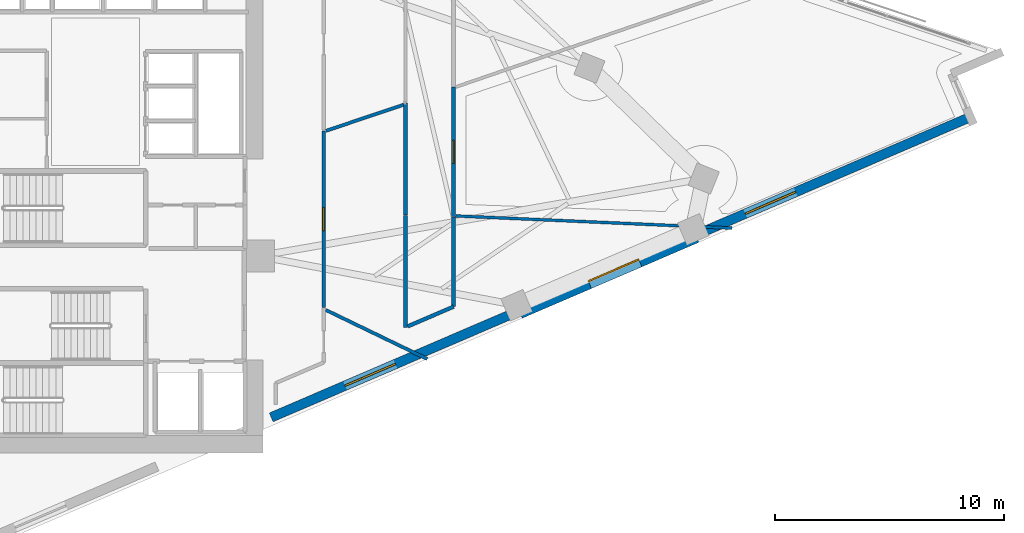
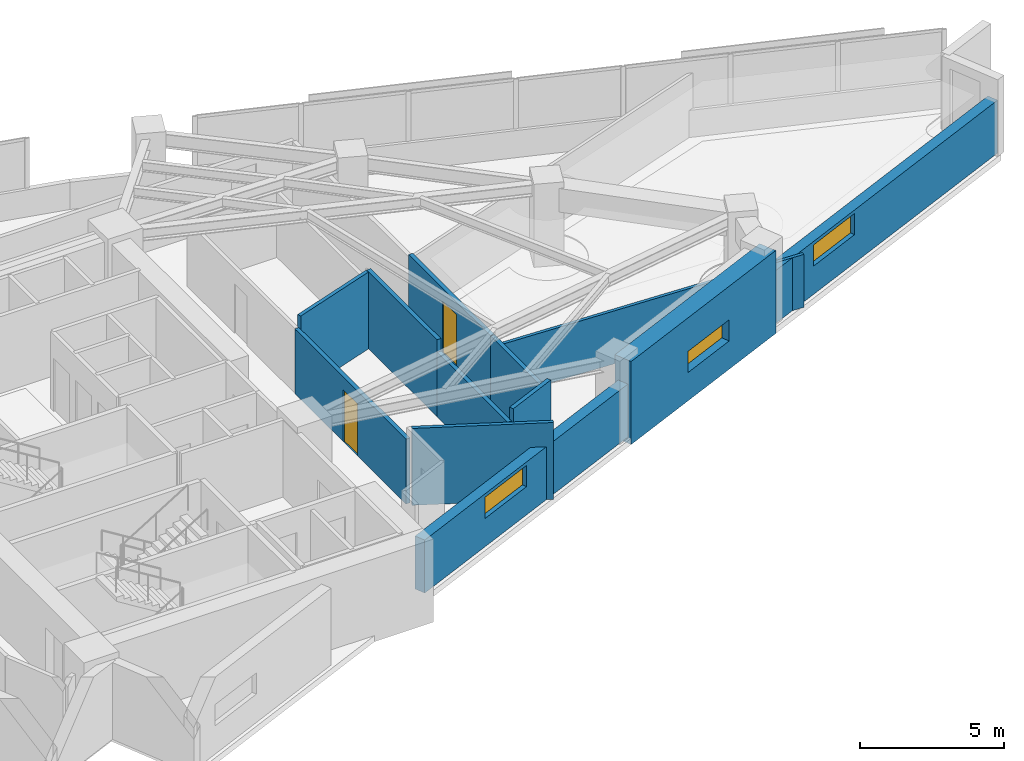
# One storey, part 11 of 15: 12 walls, 3 windows, 2 doors, 5 openings.
"""IFC4 building model written with IfcOpenShell, lengths in metres."""

from ifc_helpers import new_model, si_unit, direction, frame, frame_2d, origin, place, context, subcontext, project, spatial, rectangle, extrude, material, layer, layer_set, type_object, element, fill, save


model = new_model("IFC4")

# Units and contexts
model_context = context("Model", 3, precision=1e-05, world=origin(), true_north=direction((0.0, 1.0)))
body_context = subcontext(model_context, "Body", "Model", "MODEL_VIEW")
ifc_project = project(units=[si_unit("LENGTHUNIT", "METRE"), si_unit("AREAUNIT", "SQUARE_METRE"), si_unit("VOLUMEUNIT", "CUBIC_METRE"), si_unit("PLANEANGLEUNIT", "RADIAN"), si_unit("MASSUNIT", "GRAM", prefix="KILO")], contexts=[model_context])

# Site, building, storey
site_placement = place(None, origin())
site = spatial("IfcSite", under=ifc_project, at=site_placement, CompositionType="ELEMENT")
building_placement = place(site_placement, origin())
building = spatial("IfcBuilding", under=site, at=building_placement, Name="Narakoshi Arena Tower", CompositionType="ELEMENT")
storey_placement = place(building_placement, frame((0.0, 0.0, 186.139892578125)))
storey = spatial("IfcBuildingStorey", under=building, at=storey_placement, Name="L50", CompositionType="ELEMENT", Elevation=186.139892578125)

# Wall, opening, door
ifc_material_1 = material(Name="Gypsum plasterboard fire-rated partition")
ifc_layer_1 = layer(ifc_material_1, 0.1650390625)
ifc_layer_set_1 = layer_set([ifc_layer_1], Name="Gypsum plasterboard fire-rated partition")
wall_type_1 = type_object("IfcWallType", Name="WL-CORR-165", PredefinedType="PARTITIONING", material=ifc_layer_set_1)
wall_1_placement = place(storey_placement, frame((94.07373046875, 45.072021484375, 0.0), z_axis=(0.0, 0.0, 1.0), x_axis=(0.0, 1.0, 0.0)))
wall_1 = element("IfcWall", 1, at=wall_1_placement, inside=storey, type_object=wall_type_1, Name="L50 Corridor Partition 03-1", PredefinedType="PARTITIONING", context=body_context, shape_type="SweptSolid", body=[
    extrude(rectangle(XDim=5.67041015625, YDim=0.1650390625, at=frame_2d((2.835205078125, 0.0))), origin(), (0.0, 0.0, 1.0), 2.7451171875),
])
opening_1_placement = place(wall_1_placement, frame((2.335205078125, 0.0, 0.0)))
opening_1 = element("IfcOpeningElement", 2, at=opening_1_placement, cuts=wall_1, Name="Opening D-06", PredefinedType="OPENING", context=body_context, shape_type="SweptSolid", body=[
    extrude(rectangle(XDim=1.0, YDim=2.199951171875, at=frame_2d((0.5, 1.10009765625))), frame((0.0, 0.092529296875, 0.0), z_axis=(0.0, -1.0, 0.0), x_axis=(1.0, 0.0, 0.0)), (0.0, 0.0, 1.0), 0.18505859375),
])
ifc_material_2 = material(Name="Stained oak solid-core timber", Category="wood")
door_type = type_object("IfcDoorType", Name="DR-OFF-1000", OperationType="NOTDEFINED", PredefinedType="DOOR", material=ifc_material_2)
door_1_placement = place(opening_1_placement, frame((1.0, 0.0, 0.0), z_axis=(0.0, 0.0, 1.0), x_axis=(-1.0, 0.0, 0.0)))
door_1 = element("IfcDoor", 3, at=door_1_placement, inside=storey, type_object=door_type, Name="DR-L50-017", OperationType="SINGLE_SWING_RIGHT", OverallHeight=2.199951171875, OverallWidth=1.0, PredefinedType="DOOR", context=body_context, shape_type="SweptSolid", body=[
    extrude(rectangle(XDim=1.0, YDim=2.199951171875, at=frame_2d((0.5, 1.10009765625))), frame((0.0, 0.02490234375, 0.0), z_axis=(0.0, -1.0, 0.0), x_axis=(1.0, 0.0, 0.0)), (0.0, 0.0, 1.0), 0.050048828125),
])
fill(opening_1, door_1)

wall_2_placement = place(storey_placement, frame((88.39990234375, 41.10009765625, 0.0), z_axis=(0.0, 0.0, 1.0), x_axis=(0.0, 1.0, 0.0)))
wall_2 = element("IfcWall", 4, at=wall_2_placement, inside=storey, type_object=wall_type_1, Name="L50 Corridor Partition 04-1", PredefinedType="PARTITIONING", context=body_context, shape_type="SweptSolid", body=[
    extrude(rectangle(XDim=7.727294921875, YDim=0.1650390625, at=frame_2d((3.86376953125, 0.0))), origin(), (0.0, 0.0, 1.0), 2.7451171875),
])
opening_2_placement = place(wall_2_placement, frame((3.363525390625, 0.0, 0.0)))
opening_2 = element("IfcOpeningElement", 5, at=opening_2_placement, cuts=wall_2, Name="Opening D-06", PredefinedType="OPENING", context=body_context, shape_type="SweptSolid", body=[
    extrude(rectangle(XDim=1.0, YDim=2.199951171875, at=frame_2d((0.5, 1.10009765625))), frame((0.0, 0.092529296875, 0.0), z_axis=(0.0, -1.0, 0.0), x_axis=(1.0, 0.0, 0.0)), (0.0, 0.0, 1.0), 0.18505859375),
])
door_2_placement = place(opening_2_placement, frame((1.0, 0.0, 0.0), z_axis=(0.0, 0.0, 1.0), x_axis=(-1.0, 0.0, 0.0)))
door_2 = element("IfcDoor", 6, at=door_2_placement, inside=storey, type_object=door_type, Name="DR-L50-018", OperationType="SINGLE_SWING_LEFT", OverallHeight=2.199951171875, OverallWidth=1.0, PredefinedType="DOOR", context=body_context, shape_type="SweptSolid", body=[
    extrude(rectangle(XDim=1.0, YDim=2.199951171875, at=frame_2d((0.5, 1.10009765625))), frame((0.0, 0.02490234375, 0.0), z_axis=(0.0, -1.0, 0.0), x_axis=(1.0, 0.0, 0.0)), (0.0, 0.0, 1.0), 0.050048828125),
])
fill(opening_2, door_2)

# Walls
wall_3_placement = place(storey_placement, frame((91.9736328125, 45.1220703125, 0.0), z_axis=(0.0, 0.0, 1.0), x_axis=(0.0, -1.0, 0.0)))
element("IfcWall", 7, at=wall_3_placement, inside=storey, type_object=wall_type_1, Name="L50 Corridor Partition 04-2", PredefinedType="PARTITIONING", context=body_context, shape_type="SweptSolid", body=[
    extrude(rectangle(XDim=4.887451171875, YDim=0.1650390625, at=frame_2d((2.44384765625, 0.0))), origin(), (0.0, 0.0, 1.0), 2.7451171875),
])
wall_4_placement = place(storey_placement, frame((91.9736328125, 50.03369140625, 0.0), z_axis=(0.0, 0.0, 1.0), x_axis=(0.0, -1.0, 0.0)))
element("IfcWall", 8, at=wall_4_placement, inside=storey, type_object=wall_type_1, Name="L50 Corridor Partition 04-3", PredefinedType="PARTITIONING", context=body_context, shape_type="SweptSolid", body=[
    extrude(rectangle(XDim=4.887451171875, YDim=0.1650390625, at=frame_2d((2.44384765625, 0.0))), origin(), (0.0, 0.0, 1.0), 3.260009765625),
])
wall_5_placement = place(storey_placement, frame((94.07373046875, 41.136962890625, 0.0), z_axis=(0.0, 0.0, 1.0), x_axis=(0.0, 1.0, 0.0)))
element("IfcWall", 9, at=wall_5_placement, inside=storey, type_object=wall_type_1, Name="L50 Corridor Partition 04-4", PredefinedType="PARTITIONING", context=body_context, shape_type="SweptSolid", body=[
    extrude(rectangle(XDim=3.910888671875, YDim=0.1650390625, at=frame_2d((1.95556640625, 0.0))), origin(), (0.0, 0.0, 1.0), 2.7451171875),
])
wall_6_placement = place(storey_placement, frame((92.068115234375, 40.275390625, 0.0), z_axis=(0.0, 0.0, 1.0), x_axis=(0.91880916067, 0.394702072794, 0.0)))
element("IfcWall", 10, at=wall_6_placement, inside=storey, type_object=wall_type_1, Name="L50 Corridor Partition 04-5", PredefinedType="PARTITIONING", context=body_context, shape_type="SweptSolid", body=[
    extrude(rectangle(XDim=2.182861328125, YDim=0.1650390625, at=frame_2d((1.09130859375, 0.0))), origin(), (0.0, 0.0, 1.0), 3.260009765625),
])

# Wall, opening, window
ifc_material_3 = material(Name="Concrete C60/75", Category="concrete")
ifc_layer_2 = layer(ifc_material_3, 0.699951171875)
ifc_layer_set_2 = layer_set([ifc_layer_2], Name="Concrete C60/75")
wall_type_2 = type_object("IfcWallType", Name="WL-LEG-700", PredefinedType="SHEAR", material=ifc_layer_set_2)
wall_7_placement = place(storey_placement, frame((96.936767578125, 40.951904296875, -0.260009765625), z_axis=(0.0, 0.0, 1.0), x_axis=(0.918782407933, 0.394764343468, 0.0)))
wall_7 = element("IfcWall", 11, at=wall_7_placement, inside=storey, type_object=wall_type_2, Name="L50 Architectural Concrete Structural Wall LEGA-3", PredefinedType="SHEAR", context=body_context, shape_type="SweptSolid", body=[
    extrude(rectangle(XDim=8.401611328125, YDim=0.699951171875, at=frame_2d((4.20068359375, 0.0))), origin(), (0.0, 0.0, 1.0), 3.52001953125),
])
opening_3_placement = place(wall_7_placement, frame((3.2939453125, 0.0, 1.199951171875)))
opening_3 = element("IfcOpeningElement", 12, at=opening_3_placement, cuts=wall_7, Name="Opening WN-01", PredefinedType="OPENING", context=body_context, shape_type="SweptSolid", body=[
    extrude(rectangle(XDim=2.39990234375, YDim=0.89990234375, at=frame_2d((1.199951171875, 0.449951171875))), frame((0.0, 0.35986328125, 0.0), z_axis=(0.0, -1.0, 0.0), x_axis=(1.0, 0.0, 0.0)), (0.0, 0.0, 1.0), 0.719970703125),
])
ifc_material_4 = material(Name="Bronze-tinted low-E laminated glass", Category="glass")
window_type = type_object("IfcWindowType", Name="WIN-SLT-24x09", PartitioningType="SINGLE_PANEL", PredefinedType="WINDOW", material=ifc_material_4)
window_1_placement = place(opening_3_placement, origin())
window_1 = element("IfcWindow", 13, at=window_1_placement, inside=storey, type_object=window_type, Name="L50 LEGA3 Horizontal Slot Window 1", OverallHeight=0.89990234375, OverallWidth=2.39990234375, PartitioningType="SINGLE_PANEL", PredefinedType="WINDOW", context=body_context, shape_type="SweptSolid", body=[
    extrude(rectangle(XDim=2.39990234375, YDim=0.89990234375, at=frame_2d((1.199951171875, 0.449951171875))), frame((0.0, 0.030029296875, 0.0), z_axis=(0.0, -1.0, 0.0), x_axis=(1.0, 0.0, 0.0)), (0.0, 0.0, 1.0), 0.06005859375),
])
fill(opening_3, window_1)

# Wall
ifc_layer_3 = layer(ifc_material_1, 0.125)
ifc_layer_set_3 = layer_set([ifc_layer_3], Name="Gypsum plasterboard fire-rated partition")
wall_type_3 = type_object("IfcWallType", Name="WL-PART-125", PredefinedType="PARTITIONING", material=ifc_layer_set_3)
wall_8_placement = place(storey_placement, frame((106.24609375, 44.57080078125, 0.0), z_axis=(0.0, 0.0, 1.0), x_axis=(-0.999028718702, 0.044063808377, 0.0)))
element("IfcWall", 14, at=wall_8_placement, inside=storey, type_object=wall_type_3, Name="L50 Inter-Room Partition 03-04", PredefinedType="PARTITIONING", context=body_context, shape_type="SweptSolid", body=[
    extrude(rectangle(XDim=12.089599609375, YDim=0.125, at=frame_2d((6.044921875, 0.0))), origin(), (0.0, 0.0, 1.0), 2.2451171875),
])

# Wall, opening, window
ifc_material_5 = material(Name="Precast concrete C45/55", Category="concrete")
ifc_layer_4 = layer(ifc_material_5, 0.419921875)
ifc_layer_set_4 = layer_set([ifc_layer_4], Name="Precast concrete C45/55")
wall_type_4 = type_object("IfcWallType", Name="WL-POD-420", PredefinedType="SOLIDWALL", material=ifc_layer_set_4)
wall_9_placement = place(storey_placement, frame((86.10009765625, 36.296142578125, 0.0), z_axis=(0.0, 0.0, 1.0), x_axis=(0.918792412723, 0.394741057306, 0.0)))
wall_9 = element("IfcWall", 15, at=wall_9_placement, inside=storey, type_object=wall_type_4, Name="L50 Architectural Concrete Facade Wall LEGA-2", PredefinedType="SOLIDWALL", context=body_context, shape_type="SweptSolid", body=[
    extrude(rectangle(XDim=11.79443359375, YDim=0.419921875, at=frame_2d((5.897216796875, 0.0))), origin(), (0.0, 0.0, 1.0), 2.2451171875),
])
opening_4_placement = place(wall_9_placement, frame((3.510986328125, 0.0, 1.199951171875)))
opening_4 = element("IfcOpeningElement", 16, at=opening_4_placement, cuts=wall_9, Name="Opening WN-01", PredefinedType="OPENING", context=body_context, shape_type="SweptSolid", body=[
    extrude(rectangle(XDim=2.39990234375, YDim=0.89990234375, at=frame_2d((1.199951171875, 0.449951171875))), frame((0.0, 0.219970703125, 0.0), z_axis=(0.0, -1.0, 0.0), x_axis=(1.0, 0.0, 0.0)), (0.0, 0.0, 1.0), 0.43994140625),
])
window_2_placement = place(opening_4_placement, origin())
window_2 = element("IfcWindow", 17, at=window_2_placement, inside=storey, type_object=window_type, Name="L50 LEGA2 Horizontal Slot Window 1", OverallHeight=0.89990234375, OverallWidth=2.39990234375, PartitioningType="SINGLE_PANEL", PredefinedType="WINDOW", context=body_context, shape_type="SweptSolid", body=[
    extrude(rectangle(XDim=2.39990234375, YDim=0.89990234375, at=frame_2d((1.199951171875, 0.449951171875))), frame((0.0, 0.030029296875, 0.0), z_axis=(0.0, -1.0, 0.0), x_axis=(1.0, 0.0, 0.0)), (0.0, 0.0, 1.0), 0.06005859375),
])
fill(opening_4, window_2)

wall_10_placement = place(storey_placement, frame((104.656005859375, 44.2685546875, 0.0), z_axis=(0.0, 0.0, 1.0), x_axis=(0.918789071809, 0.394748833467, 0.0)))
wall_10 = element("IfcWall", 18, at=wall_10_placement, inside=storey, type_object=wall_type_4, Name="L50 Architectural Concrete Facade Wall LEGA-4", PredefinedType="SOLIDWALL", context=body_context, shape_type="SweptSolid", body=[
    extrude(rectangle(XDim=13.06884765625, YDim=0.419921875, at=frame_2d((6.534423828125, 0.0))), origin(), (0.0, 0.0, 1.0), 2.2451171875),
])
opening_5_placement = place(wall_10_placement, frame((2.362060546875, 0.0, 1.199951171875)))
opening_5 = element("IfcOpeningElement", 19, at=opening_5_placement, cuts=wall_10, Name="Opening WN-01", PredefinedType="OPENING", context=body_context, shape_type="SweptSolid", body=[
    extrude(rectangle(XDim=2.39990234375, YDim=0.89990234375, at=frame_2d((1.199951171875, 0.449951171875))), frame((0.0, 0.219970703125, 0.0), z_axis=(0.0, -1.0, 0.0), x_axis=(1.0, 0.0, 0.0)), (0.0, 0.0, 1.0), 0.43994140625),
])
window_3_placement = place(opening_5_placement, origin())
window_3 = element("IfcWindow", 20, at=window_3_placement, inside=storey, type_object=window_type, Name="L50 LEGA4 Horizontal Slot Window 1", OverallHeight=0.89990234375, OverallWidth=2.39990234375, PartitioningType="SINGLE_PANEL", PredefinedType="WINDOW", context=body_context, shape_type="SweptSolid", body=[
    extrude(rectangle(XDim=2.39990234375, YDim=0.89990234375, at=frame_2d((1.199951171875, 0.449951171875))), frame((0.0, 0.030029296875, 0.0), z_axis=(0.0, -1.0, 0.0), x_axis=(1.0, 0.0, 0.0)), (0.0, 0.0, 1.0), 0.06005859375),
])
fill(opening_5, window_3)

# Walls
ifc_material_6 = material(Name="Moisture-resistant cement-board partition")
ifc_layer_5 = layer(ifc_material_6, 0.14501953125)
ifc_layer_set_5 = layer_set([ifc_layer_5], Name="Moisture-resistant cement-board partition")
wall_type_5 = type_object("IfcWallType", Name="WL-WET-145", PredefinedType="PARTITIONING", material=ifc_layer_set_5)
wall_11_placement = place(storey_placement, frame((88.484619140625, 40.9931640625, 0.0), z_axis=(0.0, 0.0, 1.0), x_axis=(0.900442674897, -0.434974699523, 0.0)))
element("IfcWall", 21, at=wall_11_placement, inside=storey, type_object=wall_type_5, Name="L50 Inter-Room Partition 02-04", PredefinedType="PARTITIONING", context=body_context, shape_type="SweptSolid", body=[
    extrude(rectangle(XDim=4.931884765625, YDim=0.14501953125, at=frame_2d((2.4658203125, 0.0))), origin(), (0.0, 0.0, 1.0), 3.260009765625),
])
wall_12_placement = place(storey_placement, frame((88.494384765625, 48.82470703125, 0.0), z_axis=(0.0, 0.0, 1.0), x_axis=(0.947763274115, 0.318974569895, 0.0)))
element("IfcWall", 22, at=wall_12_placement, inside=storey, type_object=wall_type_5, Name="L50 Inter-Room Partition 04-05", PredefinedType="PARTITIONING", context=body_context, shape_type="SweptSolid", body=[
    extrude(rectangle(XDim=3.5712890625, YDim=0.14501953125, at=frame_2d((1.78564453125, 0.0))), origin(), (0.0, 0.0, 1.0), 3.260009765625),
])

save(model, "model.ifc")
